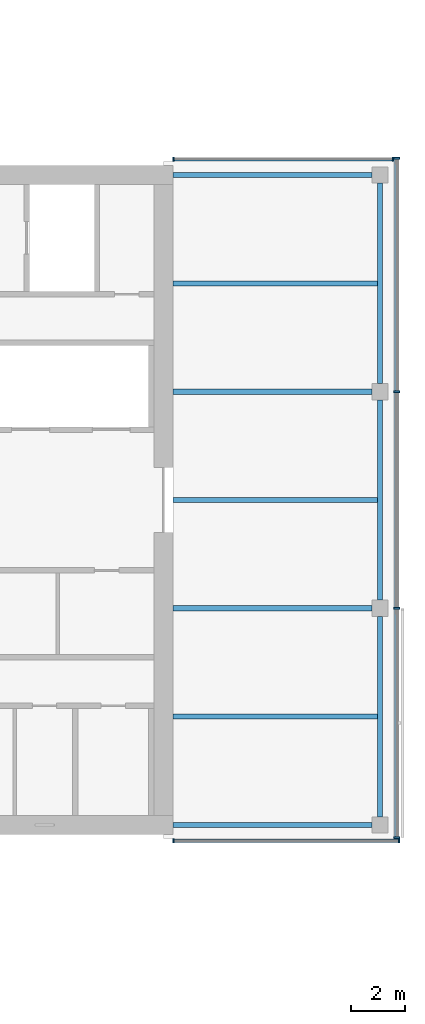
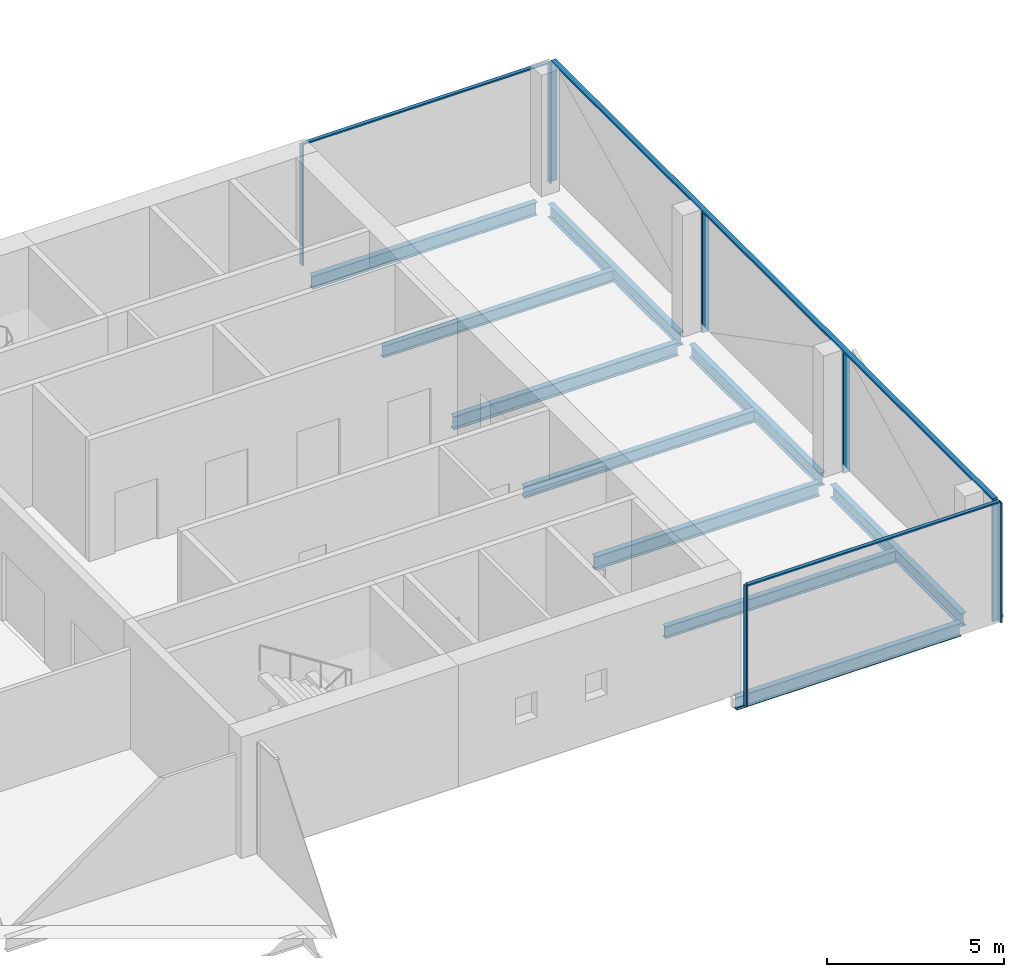
# One storey, part 11 of 22: 11 members, 10 beams, 3 elements without a shape of their own.
"""IFC4 building model written with IfcOpenShell, lengths in metres."""

from ifc_helpers import new_model, si_unit, direction, frame, origin, origin_2d, place, context, subcontext, project, spatial, rectangle, i_section, extrude, material, material_profile, profile_set, type_object, element, aggregate, save


model = new_model("IFC4")

# Units and contexts
model_context = context("Model", 3, precision=1e-05, world=origin(), true_north=direction((0.0, 1.0)))
body_context = subcontext(model_context, "Body", "Model", "MODEL_VIEW")
ifc_project = project(units=[si_unit("LENGTHUNIT", "METRE"), si_unit("AREAUNIT", "SQUARE_METRE"), si_unit("VOLUMEUNIT", "CUBIC_METRE"), si_unit("PLANEANGLEUNIT", "RADIAN"), si_unit("MASSUNIT", "GRAM", prefix="KILO")], contexts=[model_context])

# Site, building, storey
site_placement = place(None, origin())
site = spatial("IfcSite", under=ifc_project, at=site_placement, CompositionType="ELEMENT")
building_placement = place(site_placement, origin())
building = spatial("IfcBuilding", under=site, at=building_placement, Name="Crosswind Convention Tower", CompositionType="ELEMENT")
storey_placement = place(building_placement, frame((0.0, 0.0, 125.300048828125)))
storey = spatial("IfcBuildingStorey", under=building, at=storey_placement, Name="L25", CompositionType="ELEMENT", Elevation=125.300048828125)

# Beams
ifc_material_1 = material(Name="Steel S355", Category="steel")
ifc_material_profile_1 = material_profile(ifc_material_1, i_section(OverallWidth=0.18994140625, OverallDepth=0.45361328125, WebThickness=0.008544921875, FlangeThickness=0.0126953125, FilletRadius=0.01025390625, at=origin_2d()), Name="UB 457x191x67")
ifc_profile_set_1 = profile_set([ifc_material_profile_1], Name="Steel S355")
beam_type_1 = type_object("IfcBeamType", Name="Edge beam UB 457x191x67", PredefinedType="SPANDREL", material=ifc_profile_set_1)
for number, where, z_axis, x_axis, name in (
    (1, (153.35009765625, 88.0, -0.52685546875), (1.0, 0.0, 0.0), (0.0, 1.0, 0.0), "B16 L25 edge beam 20"),
    (2, (153.35009765625, 112.0, -0.52685546875), (1.0, 0.0, 0.0), (0.0, 1.0, 0.0), "B16 L25 edge beam 21"),
):
    element("IfcBeam", number, at=place(storey_placement, frame(where, z_axis=z_axis, x_axis=x_axis)), inside=storey, type_object=beam_type_1, Name=name, PredefinedType="SPANDREL", context=body_context, shape_type="SweptSolid", body=[
        extrude(i_section(OverallWidth=0.18994140625, OverallDepth=0.45361328125, WebThickness=0.008544921875, FlangeThickness=0.0126953125, FilletRadius=0.01025390625, at=origin_2d()), origin(), (0.0, 0.0, 1.0), 7.349853515625),
    ])
for number, where, z_axis, x_axis, name in (
    (3, (161.0, 88.300048828125, -0.52685546875), (0.0, 1.0, 0.0), (-1.0, 0.0, 0.0), "B16 L25 edge beam 22"),
    (4, (161.0, 96.300048828125, -0.52685546875), (0.0, 1.0, 0.0), (-1.0, 0.0, 0.0), "B16 L25 edge beam 23"),
    (5, (161.0, 104.300048828125, -0.52685546875), (0.0, 1.0, 0.0), (-1.0, 0.0, 0.0), "B16 L25 edge beam 24"),
):
    element("IfcBeam", number, at=place(storey_placement, frame(where, z_axis=z_axis, x_axis=x_axis)), inside=storey, type_object=beam_type_1, Name=name, PredefinedType="SPANDREL", context=body_context, shape_type="SweptSolid", body=[
        extrude(i_section(OverallWidth=0.18994140625, OverallDepth=0.45361328125, WebThickness=0.008544921875, FlangeThickness=0.0126953125, FilletRadius=0.01025390625, at=origin_2d()), origin(), (0.0, 0.0, 1.0), 7.39990234375),
    ])
ifc_material_profile_2 = material_profile(ifc_material_1, i_section(OverallWidth=0.19189453125, OverallDepth=0.463623046875, WebThickness=0.010498046875, FlangeThickness=0.017578125, FilletRadius=0.01025390625, at=origin_2d()), Name="UB 457x191x90")
ifc_profile_set_2 = profile_set([ifc_material_profile_2], Name="Steel S355")
beam_type_2 = type_object("IfcBeamType", Name="Girder at core wall UB 457x191x90", PredefinedType="BEAM", material=ifc_profile_set_2)
for number, where, z_axis, x_axis, name in (
    (6, (153.35009765625, 96.0, -0.53173828125), (1.0, 0.0, 0.0), (0.0, 1.0, 0.0), "B24 L25 girder at core wall 11"),
    (7, (153.35009765625, 104.0, -0.53173828125), (1.0, 0.0, 0.0), (0.0, 1.0, 0.0), "B24 L25 girder at core wall 12"),
):
    element("IfcBeam", number, at=place(storey_placement, frame(where, z_axis=z_axis, x_axis=x_axis)), inside=storey, type_object=beam_type_2, Name=name, PredefinedType="BEAM", context=body_context, shape_type="SweptSolid", body=[
        extrude(i_section(OverallWidth=0.19189453125, OverallDepth=0.463623046875, WebThickness=0.010498046875, FlangeThickness=0.017578125, FilletRadius=0.01025390625, at=origin_2d()), origin(), (0.0, 0.0, 1.0), 7.349853515625),
    ])

# Curtain wall, members
ifc_material_2 = material(Name="Aluminium unitised curtain wall", Category="aluminium")
curtain_wall_type_1 = type_object("IfcCurtainWallType", Name="CORE END SLOT WALL 160", PredefinedType="USERDEFINED", material=ifc_material_2)
curtain_wall_1_placement = place(storey_placement, origin())
curtain_wall_1 = element("IfcCurtainWall", 8, at=curtain_wall_1_placement, inside=storey, type_object=curtain_wall_type_1, Name="CW6 L25 E-N.1-1 slot", ObjectType="UNITISED", PredefinedType="USERDEFINED")
ifc_material_3 = material(Name="Aluminium mullion", Category="aluminium")
ifc_material_profile_3 = material_profile(ifc_material_3, rectangle(XDim=0.159912109375, YDim=0.050048828125, at=origin_2d()), Name="AL 160X50")
ifc_profile_set_3 = profile_set([ifc_material_profile_3], Name="Aluminium mullion")
member_type_1 = type_object("IfcMemberType", Name="MULLION 50X160", PredefinedType="MULLION", material=ifc_profile_set_3)
member_1_placement = place(storey_placement, frame((161.47509765625, 112.580078125, -0.300048828125), z_axis=(0.0, 0.0, 1.0), x_axis=(0.0, 1.0, 0.0)))
member_1 = element("IfcMember", 9, at=member_1_placement, type_object=member_type_1, Name="CW6 mullion 1", PredefinedType="MULLION", context=body_context, shape_type="SweptSolid", body=[
    extrude(rectangle(XDim=0.159912109375, YDim=0.050048828125, at=origin_2d()), origin(), (0.0, 0.0, 1.0), 4.14990234375),
])
member_2_placement = place(storey_placement, frame((153.375, 112.580078125, -0.300048828125), z_axis=(0.0, 0.0, 1.0), x_axis=(0.0, 1.0, 0.0)))
member_2 = element("IfcMember", 10, at=member_2_placement, type_object=member_type_1, Name="CW6 mullion 2", PredefinedType="MULLION", context=body_context, shape_type="SweptSolid", body=[
    extrude(rectangle(XDim=0.159912109375, YDim=0.050048828125, at=origin_2d()), origin(), (0.0, 0.0, 1.0), 4.14990234375),
])

curtain_wall_2_placement = place(storey_placement, origin())
curtain_wall_2 = element("IfcCurtainWall", 11, at=curtain_wall_2_placement, inside=storey, type_object=curtain_wall_type_1, Name="CW6 L25 E-S.2-1 slot", ObjectType="UNITISED", PredefinedType="USERDEFINED")
member_3_placement = place(storey_placement, frame((153.375, 87.419921875, -0.300048828125), z_axis=(0.0, 0.0, 1.0), x_axis=(0.0, -1.0, 0.0)))
member_3 = element("IfcMember", 12, at=member_3_placement, type_object=member_type_1, Name="CW6 mullion 1", PredefinedType="MULLION", context=body_context, shape_type="SweptSolid", body=[
    extrude(rectangle(XDim=0.159912109375, YDim=0.050048828125, at=origin_2d()), origin(), (0.0, 0.0, 1.0), 4.14990234375),
])
member_4_placement = place(storey_placement, frame((161.695068359375, 87.419921875, -0.300048828125), z_axis=(0.0, 0.0, 1.0), x_axis=(0.0, -1.0, 0.0)))
member_4 = element("IfcMember", 13, at=member_4_placement, type_object=member_type_1, Name="CW6 mullion 2", PredefinedType="MULLION", context=body_context, shape_type="SweptSolid", body=[
    extrude(rectangle(XDim=0.159912109375, YDim=0.050048828125, at=origin_2d()), origin(), (0.0, 0.0, 1.0), 4.14990234375),
])

curtain_wall_type_2 = type_object("IfcCurtainWallType", Name="OFFICE UNITISED WALL 220", PredefinedType="USERDEFINED", material=ifc_material_2)
curtain_wall_3_placement = place(storey_placement, origin())
curtain_wall_3 = element("IfcCurtainWall", 14, at=curtain_wall_3_placement, inside=storey, type_object=curtain_wall_type_2, Name="CW3 L25 E-TIP 1", ObjectType="UNITISED", PredefinedType="USERDEFINED")
ifc_material_profile_4 = material_profile(ifc_material_3, rectangle(XDim=0.219970703125, YDim=0.070068359375, at=origin_2d()), Name="AL 220X70")
ifc_profile_set_4 = profile_set([ifc_material_profile_4], Name="Aluminium mullion")
member_type_2 = type_object("IfcMemberType", Name="MULLION 70X220", PredefinedType="MULLION", material=ifc_profile_set_4)
member_5_placement = place(storey_placement, frame((161.610107421875, 87.534912109375, -0.300048828125), z_axis=(0.0, 0.0, 1.0), x_axis=(1.0, 0.0, 0.0)))
member_5 = element("IfcMember", 15, at=member_5_placement, type_object=member_type_2, Name="CW3 mullion 1", PredefinedType="MULLION", context=body_context, shape_type="SweptSolid", body=[
    extrude(rectangle(XDim=0.219970703125, YDim=0.070068359375, at=origin_2d()), origin(), (0.0, 0.0, 1.0), 4.1298828125),
])
member_6_placement = place(storey_placement, frame((161.610107421875, 96.0, -0.300048828125), z_axis=(0.0, 0.0, 1.0), x_axis=(1.0, 0.0, 0.0)))
member_6 = element("IfcMember", 16, at=member_6_placement, type_object=member_type_2, Name="CW3 mullion 2", PredefinedType="MULLION", context=body_context, shape_type="SweptSolid", body=[
    extrude(rectangle(XDim=0.219970703125, YDim=0.070068359375, at=origin_2d()), origin(), (0.0, 0.0, 1.0), 4.1298828125),
])
member_7_placement = place(storey_placement, frame((161.610107421875, 104.0, -0.300048828125), z_axis=(0.0, 0.0, 1.0), x_axis=(1.0, 0.0, 0.0)))
member_7 = element("IfcMember", 17, at=member_7_placement, type_object=member_type_2, Name="CW3 mullion 3", PredefinedType="MULLION", context=body_context, shape_type="SweptSolid", body=[
    extrude(rectangle(XDim=0.219970703125, YDim=0.070068359375, at=origin_2d()), origin(), (0.0, 0.0, 1.0), 4.1298828125),
])
member_8_placement = place(storey_placement, frame((161.610107421875, 112.625, -0.300048828125), z_axis=(0.0, 0.0, 1.0), x_axis=(1.0, 0.0, 0.0)))
member_8 = element("IfcMember", 18, at=member_8_placement, type_object=member_type_2, Name="CW3 mullion 4", PredefinedType="MULLION", context=body_context, shape_type="SweptSolid", body=[
    extrude(rectangle(XDim=0.219970703125, YDim=0.070068359375, at=origin_2d()), origin(), (0.0, 0.0, 1.0), 4.1298828125),
])

# Beams
ifc_material_profile_5 = material_profile(ifc_material_1, i_section(OverallWidth=0.177734375, OverallDepth=0.406494140625, WebThickness=0.0078125, FlangeThickness=0.0126953125, FilletRadius=0.01025390625, at=origin_2d()), Name="UB 406x178x60")
ifc_profile_set_5 = profile_set([ifc_material_profile_5], Name="Steel S355")
beam_type_3 = type_object("IfcBeamType", Name="Secondary beam UB 406x178x60", PredefinedType="JOIST", material=ifc_profile_set_5)
for number, where, z_axis, x_axis, name in (
    (19, (153.35009765625, 92.0, -0.503173828125), (1.0, 0.0, 0.0), (0.0, 1.0, 0.0), "B10 L25 secondary beam 25"),
    (20, (153.35009765625, 100.0, -0.503173828125), (1.0, 0.0, 0.0), (0.0, 1.0, 0.0), "B10 L25 secondary beam 26"),
    (21, (153.35009765625, 108.0, -0.503173828125), (1.0, 0.0, 0.0), (0.0, 1.0, 0.0), "B10 L25 secondary beam 27"),
):
    element("IfcBeam", number, at=place(storey_placement, frame(where, z_axis=z_axis, x_axis=x_axis)), inside=storey, type_object=beam_type_3, Name=name, PredefinedType="JOIST", context=body_context, shape_type="SweptSolid", body=[
        extrude(i_section(OverallWidth=0.177734375, OverallDepth=0.406494140625, WebThickness=0.0078125, FlangeThickness=0.0126953125, FilletRadius=0.01025390625, at=origin_2d()), origin(), (0.0, 0.0, 1.0), 7.554931640625),
    ])

# Member
ifc_material_4 = material(Name="Aluminium transom", Category="aluminium")
ifc_material_profile_6 = material_profile(ifc_material_4, rectangle(XDim=0.1201171875, YDim=0.050048828125, at=origin_2d()), Name="AL 120X50")
ifc_profile_set_6 = profile_set([ifc_material_profile_6], Name="Aluminium transom")
member_type_3 = type_object("IfcMemberType", Name="TRANSOM 50X120", PredefinedType="USERDEFINED", material=ifc_profile_set_6)
member_9_placement = place(storey_placement, frame((161.449951171875, 112.580078125, 3.875), z_axis=(-1.0, 0.0, 0.0), x_axis=(0.0, -1.0, 0.0)))
member_9 = element("IfcMember", 22, at=member_9_placement, type_object=member_type_3, Name="CW6 transom", ObjectType="TRANSOM", PredefinedType="USERDEFINED", context=body_context, shape_type="SweptSolid", body=[
    extrude(rectangle(XDim=0.1201171875, YDim=0.050048828125, at=origin_2d()), origin(), (0.0, 0.0, 1.0), 8.050048828125),
])

aggregate(curtain_wall_1, [member_1, member_2, member_9])

member_10_placement = place(storey_placement, frame((153.39990234375, 87.419921875, 3.875), z_axis=(1.0, 0.0, 0.0), x_axis=(0.0, 1.0, 0.0)))
member_10 = element("IfcMember", 23, at=member_10_placement, type_object=member_type_3, Name="CW6 transom", ObjectType="TRANSOM", PredefinedType="USERDEFINED", context=body_context, shape_type="SweptSolid", body=[
    extrude(rectangle(XDim=0.1201171875, YDim=0.050048828125, at=origin_2d()), origin(), (0.0, 0.0, 1.0), 8.27001953125),
])

aggregate(curtain_wall_2, [member_3, member_4, member_10])

ifc_material_profile_7 = material_profile(ifc_material_4, rectangle(XDim=0.159912109375, YDim=0.070068359375, at=origin_2d()), Name="AL 160X70")
ifc_profile_set_7 = profile_set([ifc_material_profile_7], Name="Aluminium transom")
member_type_4 = type_object("IfcMemberType", Name="TRANSOM 70X160", PredefinedType="USERDEFINED", material=ifc_profile_set_7)
member_11_placement = place(storey_placement, frame((161.610107421875, 87.570068359375, 3.864990234375), z_axis=(0.0, 1.0, 0.0), x_axis=(-1.0, 0.0, 0.0)))
member_11 = element("IfcMember", 24, at=member_11_placement, type_object=member_type_4, Name="CW3 transom", ObjectType="TRANSOM", PredefinedType="USERDEFINED", context=body_context, shape_type="SweptSolid", body=[
    extrude(rectangle(XDim=0.159912109375, YDim=0.070068359375, at=origin_2d()), origin(), (0.0, 0.0, 1.0), 25.02001953125),
])

aggregate(curtain_wall_3, [member_5, member_6, member_7, member_8, member_11])

save(model, "model.ifc")
